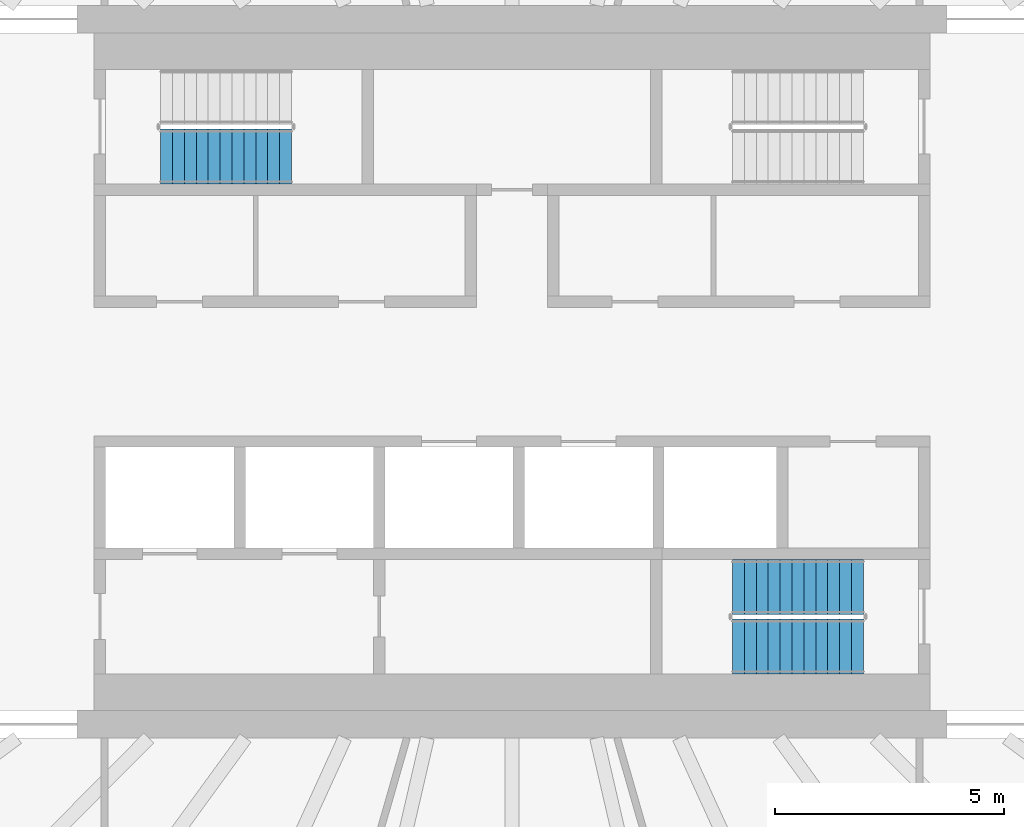
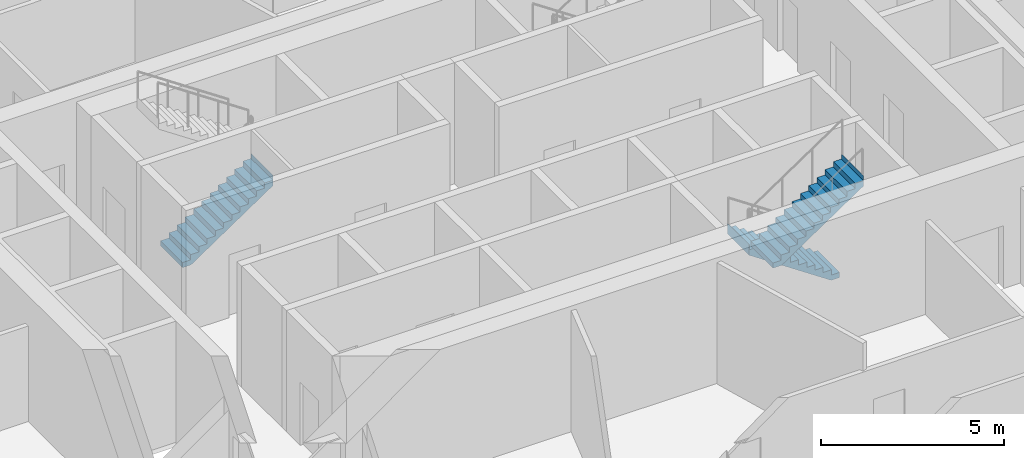
# One storey, part 18 of 25: 3 stair flights, 2 elements without a shape of their own.
"""IFC4 building model written with IfcOpenShell, lengths in metres."""

from ifc_helpers import new_model, si_unit, direction, frame, origin, place, context, subcontext, project, spatial, triangles, material, type_object, element, aggregate, save


model = new_model("IFC4")

# Units and contexts
model_context = context("Model", 3, precision=1e-05, world=origin(), true_north=direction((0.0, 1.0)))
body_context = subcontext(model_context, "Body", "Model", "MODEL_VIEW")
ifc_project = project(units=[si_unit("LENGTHUNIT", "METRE"), si_unit("AREAUNIT", "SQUARE_METRE"), si_unit("VOLUMEUNIT", "CUBIC_METRE"), si_unit("PLANEANGLEUNIT", "RADIAN"), si_unit("MASSUNIT", "GRAM", prefix="KILO")], contexts=[model_context])

# Site, building, storey
site_placement = place(None, origin())
site = spatial("IfcSite", under=ifc_project, at=site_placement, CompositionType="ELEMENT")
building_placement = place(site_placement, origin())
building = spatial("IfcBuilding", under=site, at=building_placement, Name="Sahrelin Media Tower", CompositionType="ELEMENT")
storey_placement = place(building_placement, frame((0.0, 0.0, 79.800048828125)))
storey = spatial("IfcBuildingStorey", under=building, at=storey_placement, Name="L14", CompositionType="ELEMENT", Elevation=79.800048828125)

# Stair, stair flight
ifc_material = material(Name="Concrete C40/50", Category="concrete")
stair_type = type_object("IfcStairType", Name="Exit stair 1200", PredefinedType="HALF_TURN_STAIR", material=ifc_material)
placement = place(storey_placement, origin())
stair_1 = element("IfcStair", 1, at=placement, inside=storey, type_object=stair_type, Name="L14 Exit stair ST1", PredefinedType="HALF_TURN_STAIR")
stair_flight_type = type_object("IfcStairFlightType", Name="Stair flight 1200", PredefinedType="STRAIGHT", material=ifc_material)
stair_flight_1_placement = place(storey_placement, frame((-7.675048828125, 4.699951171875, 0.0), z_axis=(0.0, 0.0, 1.0), x_axis=(1.0, 0.0, 0.0)))
stair_flight_1 = element("IfcStairFlight", 2, at=stair_flight_1_placement, type_object=stair_flight_type, Name="ST1 flight 1", NumberOfRisers=12, NumberOfTreads=11, PredefinedType="STRAIGHT", RiserHeight=0.175, TreadLength=0.26, context=body_context, shape_type="Tessellation", body=[
    triangles([(0.2685546875, 0.60009765625, 0.0), (0.2685546875, 0.300048828125, 0.0), (0.2685546875, 0.0, 0.0), (0.2685546875, -0.300048828125, 0.0), (0.2685546875, -0.60009765625, 0.0), (2.860107421875, 0.60009765625, 1.744384765625), (2.860107421875, 0.300048828125, 1.744384765625), (2.860107421875, 0.0, 1.744384765625), (2.860107421875, -0.300048828125, 1.744384765625), (2.860107421875, -0.60009765625, 1.744384765625), (2.860107421875, 0.60009765625, 2.10009765625), (2.860107421875, 0.300048828125, 2.10009765625), (2.860107421875, 0.0, 2.10009765625), (2.860107421875, -0.300048828125, 2.10009765625), (2.860107421875, -0.60009765625, 2.10009765625), (2.85791015625, 0.60009765625, 2.10009765625), (2.85791015625, 0.300048828125, 2.10009765625), (2.85791015625, 0.0, 2.10009765625), (2.85791015625, -0.300048828125, 2.10009765625), (2.85791015625, -0.60009765625, 2.10009765625), (2.85791015625, 0.60009765625, 1.925048828125), (2.85791015625, 0.300048828125, 1.925048828125), (2.85791015625, 0.0, 1.925048828125), (2.85791015625, -0.300048828125, 1.925048828125), (2.85791015625, -0.60009765625, 1.925048828125), (2.60009765625, 0.60009765625, 1.925048828125), (2.60009765625, 0.300048828125, 1.925048828125), (2.60009765625, 0.0, 1.925048828125), (2.60009765625, -0.300048828125, 1.925048828125), (2.60009765625, -0.60009765625, 1.925048828125), (2.60009765625, 0.60009765625, 1.75), (2.60009765625, 0.300048828125, 1.75), (2.60009765625, 0.0, 1.75), (2.60009765625, -0.300048828125, 1.75), (2.60009765625, -0.60009765625, 1.75), (2.340087890625, 0.60009765625, 1.75), (2.340087890625, 0.300048828125, 1.75), (2.340087890625, 0.0, 1.75), (2.340087890625, -0.300048828125, 1.75), (2.340087890625, -0.60009765625, 1.75), (2.340087890625, 0.60009765625, 1.574951171875), (2.340087890625, 0.300048828125, 1.574951171875), (2.340087890625, 0.0, 1.574951171875), (2.340087890625, -0.300048828125, 1.574951171875), (2.340087890625, -0.60009765625, 1.574951171875), (2.080078125, 0.60009765625, 1.574951171875), (2.080078125, 0.300048828125, 1.574951171875), (2.080078125, 0.0, 1.574951171875), (2.080078125, -0.300048828125, 1.574951171875), (2.080078125, -0.60009765625, 1.574951171875), (2.080078125, 0.60009765625, 1.39990234375), (2.080078125, 0.300048828125, 1.39990234375), (2.080078125, 0.0, 1.39990234375), (2.080078125, -0.300048828125, 1.39990234375), (2.080078125, -0.60009765625, 1.39990234375), (1.820068359375, 0.60009765625, 1.39990234375), (1.820068359375, 0.300048828125, 1.39990234375), (1.820068359375, 0.0, 1.39990234375), (1.820068359375, -0.300048828125, 1.39990234375), (1.820068359375, -0.60009765625, 1.39990234375), (1.820068359375, 0.60009765625, 1.22509765625), (1.820068359375, 0.300048828125, 1.22509765625), (1.820068359375, 0.0, 1.22509765625), (1.820068359375, -0.300048828125, 1.22509765625), (1.820068359375, -0.60009765625, 1.22509765625), (1.56005859375, 0.60009765625, 1.22509765625), (1.56005859375, 0.300048828125, 1.22509765625), (1.56005859375, 0.0, 1.22509765625), (1.56005859375, -0.300048828125, 1.22509765625), (1.56005859375, -0.60009765625, 1.22509765625), (1.56005859375, 0.60009765625, 1.050048828125), (1.56005859375, 0.300048828125, 1.050048828125), (1.56005859375, 0.0, 1.050048828125), (1.56005859375, -0.300048828125, 1.050048828125), (1.56005859375, -0.60009765625, 1.050048828125), (1.300048828125, 0.60009765625, 1.050048828125), (1.300048828125, 0.300048828125, 1.050048828125), (1.300048828125, 0.0, 1.050048828125), (1.300048828125, -0.300048828125, 1.050048828125), (1.300048828125, -0.60009765625, 1.050048828125), (1.300048828125, 0.60009765625, 0.875), (1.300048828125, 0.300048828125, 0.875), (1.300048828125, 0.0, 0.875), (1.300048828125, -0.300048828125, 0.875), (1.300048828125, -0.60009765625, 0.875), (1.0400390625, 0.60009765625, 0.875), (1.0400390625, 0.300048828125, 0.875), (1.0400390625, 0.0, 0.875), (1.0400390625, -0.300048828125, 0.875), (1.0400390625, -0.60009765625, 0.875), (1.0400390625, 0.60009765625, 0.699951171875), (1.0400390625, 0.300048828125, 0.699951171875), (1.0400390625, 0.0, 0.699951171875), (1.0400390625, -0.300048828125, 0.699951171875), (1.0400390625, -0.60009765625, 0.699951171875), (0.780029296875, 0.60009765625, 0.699951171875), (0.780029296875, 0.300048828125, 0.699951171875), (0.780029296875, 0.0, 0.699951171875), (0.780029296875, -0.300048828125, 0.699951171875), (0.780029296875, -0.60009765625, 0.699951171875), (0.780029296875, 0.60009765625, 0.52490234375), (0.780029296875, 0.300048828125, 0.52490234375), (0.780029296875, 0.0, 0.52490234375), (0.780029296875, -0.300048828125, 0.52490234375), (0.780029296875, -0.60009765625, 0.52490234375), (0.52001953125, 0.60009765625, 0.52490234375), (0.52001953125, 0.300048828125, 0.52490234375), (0.52001953125, 0.0, 0.52490234375), (0.52001953125, -0.300048828125, 0.52490234375), (0.52001953125, -0.60009765625, 0.52490234375), (0.52001953125, 0.60009765625, 0.35009765625), (0.52001953125, 0.300048828125, 0.35009765625), (0.52001953125, 0.0, 0.35009765625), (0.52001953125, -0.300048828125, 0.35009765625), (0.52001953125, -0.60009765625, 0.35009765625), (0.260009765625, 0.60009765625, 0.35009765625), (0.260009765625, 0.300048828125, 0.35009765625), (0.260009765625, 0.0, 0.35009765625), (0.260009765625, -0.300048828125, 0.35009765625), (0.260009765625, -0.60009765625, 0.35009765625), (0.260009765625, 0.60009765625, 0.175048828125), (0.260009765625, 0.300048828125, 0.175048828125), (0.260009765625, 0.0, 0.175048828125), (0.260009765625, -0.300048828125, 0.175048828125), (0.260009765625, -0.60009765625, 0.175048828125), (0.0, 0.60009765625, 0.175048828125), (0.0, 0.300048828125, 0.175048828125), (0.0, 0.0, 0.175048828125), (0.0, -0.300048828125, 0.175048828125), (0.0, -0.60009765625, 0.175048828125), (0.0, 0.60009765625, 0.0), (0.0, 0.300048828125, 0.0), (0.0, 0.0, 0.0), (0.0, -0.300048828125, 0.0), (0.0, -0.60009765625, 0.0)], [[1, 6, 7], [1, 7, 2], [2, 7, 8], [2, 8, 3], [3, 8, 9], [3, 9, 4], [4, 9, 10], [4, 10, 5], [6, 11, 12], [6, 12, 7], [7, 12, 13], [7, 13, 8], [8, 13, 14], [8, 14, 9], [9, 14, 15], [9, 15, 10], [11, 16, 17], [11, 17, 12], [12, 17, 18], [12, 18, 13], [13, 18, 19], [13, 19, 14], [14, 19, 20], [14, 20, 15], [16, 21, 22], [16, 22, 17], [17, 22, 23], [17, 23, 18], [18, 23, 24], [18, 24, 19], [19, 24, 25], [19, 25, 20], [21, 26, 27], [21, 27, 22], [22, 27, 28], [22, 28, 23], [23, 28, 29], [23, 29, 24], [24, 29, 30], [24, 30, 25], [26, 31, 32], [26, 32, 27], [27, 32, 33], [27, 33, 28], [28, 33, 34], [28, 34, 29], [29, 34, 35], [29, 35, 30], [31, 36, 37], [31, 37, 32], [32, 37, 38], [32, 38, 33], [33, 38, 39], [33, 39, 34], [34, 39, 40], [34, 40, 35], [36, 41, 42], [36, 42, 37], [37, 42, 43], [37, 43, 38], [38, 43, 44], [38, 44, 39], [39, 44, 45], [39, 45, 40], [41, 46, 47], [41, 47, 42], [42, 47, 48], [42, 48, 43], [43, 48, 49], [43, 49, 44], [44, 49, 50], [44, 50, 45], [46, 51, 52], [46, 52, 47], [47, 52, 53], [47, 53, 48], [48, 53, 54], [48, 54, 49], [49, 54, 55], [49, 55, 50], [51, 56, 57], [51, 57, 52], [52, 57, 58], [52, 58, 53], [53, 58, 59], [53, 59, 54], [54, 59, 60], [54, 60, 55], [56, 61, 62], [56, 62, 57], [57, 62, 63], [57, 63, 58], [58, 63, 64], [58, 64, 59], [59, 64, 65], [59, 65, 60], [61, 66, 67], [61, 67, 62], [62, 67, 68], [62, 68, 63], [63, 68, 69], [63, 69, 64], [64, 69, 70], [64, 70, 65], [66, 71, 72], [66, 72, 67], [67, 72, 73], [67, 73, 68], [68, 73, 74], [68, 74, 69], [69, 74, 75], [69, 75, 70], [71, 76, 77], [71, 77, 72], [72, 77, 78], [72, 78, 73], [73, 78, 79], [73, 79, 74], [74, 79, 80], [74, 80, 75], [76, 81, 82], [76, 82, 77], [77, 82, 83], [77, 83, 78], [78, 83, 84], [78, 84, 79], [79, 84, 85], [79, 85, 80], [81, 86, 87], [81, 87, 82], [82, 87, 88], [82, 88, 83], [83, 88, 89], [83, 89, 84], [84, 89, 90], [84, 90, 85], [86, 91, 92], [86, 92, 87], [87, 92, 93], [87, 93, 88], [88, 93, 94], [88, 94, 89], [89, 94, 95], [89, 95, 90], [91, 96, 97], [91, 97, 92], [92, 97, 98], [92, 98, 93], [93, 98, 99], [93, 99, 94], [94, 99, 100], [94, 100, 95], [96, 101, 102], [96, 102, 97], [97, 102, 103], [97, 103, 98], [98, 103, 104], [98, 104, 99], [99, 104, 105], [99, 105, 100], [101, 106, 107], [101, 107, 102], [102, 107, 108], [102, 108, 103], [103, 108, 109], [103, 109, 104], [104, 109, 110], [104, 110, 105], [106, 111, 112], [106, 112, 107], [107, 112, 113], [107, 113, 108], [108, 113, 114], [108, 114, 109], [109, 114, 115], [109, 115, 110], [111, 116, 117], [111, 117, 112], [112, 117, 118], [112, 118, 113], [113, 118, 119], [113, 119, 114], [114, 119, 120], [114, 120, 115], [116, 121, 122], [116, 122, 117], [117, 122, 123], [117, 123, 118], [118, 123, 124], [118, 124, 119], [119, 124, 125], [119, 125, 120], [121, 126, 127], [121, 127, 122], [122, 127, 128], [122, 128, 123], [123, 128, 129], [123, 129, 124], [124, 129, 130], [124, 130, 125], [126, 131, 132], [126, 132, 127], [127, 132, 133], [127, 133, 128], [128, 133, 134], [128, 134, 129], [129, 134, 135], [129, 135, 130], [131, 1, 2], [131, 2, 132], [132, 2, 3], [132, 3, 133], [133, 3, 4], [133, 4, 134], [134, 4, 5], [134, 5, 135], [125, 130, 135], [121, 131, 126], [125, 115, 120], [121, 116, 111], [115, 105, 110], [111, 106, 101], [105, 95, 100], [101, 96, 91], [95, 85, 90], [91, 86, 81], [85, 75, 80], [81, 76, 71], [75, 65, 70], [71, 66, 61], [65, 55, 60], [61, 56, 51], [55, 45, 50], [51, 46, 41], [45, 35, 40], [41, 36, 31], [35, 25, 30], [31, 26, 21], [25, 15, 20], [21, 16, 11], [135, 5, 125], [131, 121, 1], [95, 105, 5], [91, 1, 101], [5, 10, 75], [1, 71, 6], [10, 35, 45], [6, 41, 31], [25, 10, 15], [21, 11, 6], [115, 125, 5], [111, 1, 121], [75, 85, 5], [71, 1, 81], [35, 10, 25], [31, 21, 6], [105, 115, 5], [101, 1, 111], [45, 55, 10], [41, 6, 51], [85, 95, 5], [81, 1, 91], [65, 10, 55], [61, 51, 6], [10, 65, 75], [6, 71, 61]], closed=True),
])
aggregate(stair_1, [stair_flight_1])

# Stair, stair flights
stair_2 = element("IfcStair", 3, at=placement, inside=storey, type_object=stair_type, Name="L14 Exit stair ST2", PredefinedType="HALF_TURN_STAIR")
stair_flight_2_placement = place(storey_placement, frame((7.675048828125, -4.699951171875, 0.0), z_axis=(0.0, 0.0, 1.0), x_axis=(-1.0, 0.0, 0.0)))
stair_flight_2 = element("IfcStairFlight", 4, at=stair_flight_2_placement, type_object=stair_flight_type, Name="ST2 flight 1", NumberOfRisers=12, NumberOfTreads=11, PredefinedType="STRAIGHT", RiserHeight=0.175, TreadLength=0.26, context=body_context, shape_type="Tessellation", body=[
    triangles([(0.2685546875, 0.60009765625, 0.0), (0.2685546875, 0.300048828125, 0.0), (0.2685546875, 0.0, 0.0), (0.2685546875, -0.300048828125, 0.0), (0.2685546875, -0.60009765625, 0.0), (2.860107421875, 0.60009765625, 1.744384765625), (2.860107421875, 0.300048828125, 1.744384765625), (2.860107421875, 0.0, 1.744384765625), (2.860107421875, -0.300048828125, 1.744384765625), (2.860107421875, -0.60009765625, 1.744384765625), (2.860107421875, 0.60009765625, 2.10009765625), (2.860107421875, 0.300048828125, 2.10009765625), (2.860107421875, 0.0, 2.10009765625), (2.860107421875, -0.300048828125, 2.10009765625), (2.860107421875, -0.60009765625, 2.10009765625), (2.85791015625, 0.60009765625, 2.10009765625), (2.85791015625, 0.300048828125, 2.10009765625), (2.85791015625, 0.0, 2.10009765625), (2.85791015625, -0.300048828125, 2.10009765625), (2.85791015625, -0.60009765625, 2.10009765625), (2.85791015625, 0.60009765625, 1.925048828125), (2.85791015625, 0.300048828125, 1.925048828125), (2.85791015625, 0.0, 1.925048828125), (2.85791015625, -0.300048828125, 1.925048828125), (2.85791015625, -0.60009765625, 1.925048828125), (2.60009765625, 0.60009765625, 1.925048828125), (2.60009765625, 0.300048828125, 1.925048828125), (2.60009765625, 0.0, 1.925048828125), (2.60009765625, -0.300048828125, 1.925048828125), (2.60009765625, -0.60009765625, 1.925048828125), (2.60009765625, 0.60009765625, 1.75), (2.60009765625, 0.300048828125, 1.75), (2.60009765625, 0.0, 1.75), (2.60009765625, -0.300048828125, 1.75), (2.60009765625, -0.60009765625, 1.75), (2.340087890625, 0.60009765625, 1.75), (2.340087890625, 0.300048828125, 1.75), (2.340087890625, 0.0, 1.75), (2.340087890625, -0.300048828125, 1.75), (2.340087890625, -0.60009765625, 1.75), (2.340087890625, 0.60009765625, 1.574951171875), (2.340087890625, 0.300048828125, 1.574951171875), (2.340087890625, 0.0, 1.574951171875), (2.340087890625, -0.300048828125, 1.574951171875), (2.340087890625, -0.60009765625, 1.574951171875), (2.080078125, 0.60009765625, 1.574951171875), (2.080078125, 0.300048828125, 1.574951171875), (2.080078125, 0.0, 1.574951171875), (2.080078125, -0.300048828125, 1.574951171875), (2.080078125, -0.60009765625, 1.574951171875), (2.080078125, 0.60009765625, 1.39990234375), (2.080078125, 0.300048828125, 1.39990234375), (2.080078125, 0.0, 1.39990234375), (2.080078125, -0.300048828125, 1.39990234375), (2.080078125, -0.60009765625, 1.39990234375), (1.820068359375, 0.60009765625, 1.39990234375), (1.820068359375, 0.300048828125, 1.39990234375), (1.820068359375, 0.0, 1.39990234375), (1.820068359375, -0.300048828125, 1.39990234375), (1.820068359375, -0.60009765625, 1.39990234375), (1.820068359375, 0.60009765625, 1.22509765625), (1.820068359375, 0.300048828125, 1.22509765625), (1.820068359375, 0.0, 1.22509765625), (1.820068359375, -0.300048828125, 1.22509765625), (1.820068359375, -0.60009765625, 1.22509765625), (1.56005859375, 0.60009765625, 1.22509765625), (1.56005859375, 0.300048828125, 1.22509765625), (1.56005859375, 0.0, 1.22509765625), (1.56005859375, -0.300048828125, 1.22509765625), (1.56005859375, -0.60009765625, 1.22509765625), (1.56005859375, 0.60009765625, 1.050048828125), (1.56005859375, 0.300048828125, 1.050048828125), (1.56005859375, 0.0, 1.050048828125), (1.56005859375, -0.300048828125, 1.050048828125), (1.56005859375, -0.60009765625, 1.050048828125), (1.300048828125, 0.60009765625, 1.050048828125), (1.300048828125, 0.300048828125, 1.050048828125), (1.300048828125, 0.0, 1.050048828125), (1.300048828125, -0.300048828125, 1.050048828125), (1.300048828125, -0.60009765625, 1.050048828125), (1.300048828125, 0.60009765625, 0.875), (1.300048828125, 0.300048828125, 0.875), (1.300048828125, 0.0, 0.875), (1.300048828125, -0.300048828125, 0.875), (1.300048828125, -0.60009765625, 0.875), (1.0400390625, 0.60009765625, 0.875), (1.0400390625, 0.300048828125, 0.875), (1.0400390625, 0.0, 0.875), (1.0400390625, -0.300048828125, 0.875), (1.0400390625, -0.60009765625, 0.875), (1.0400390625, 0.60009765625, 0.699951171875), (1.0400390625, 0.300048828125, 0.699951171875), (1.0400390625, 0.0, 0.699951171875), (1.0400390625, -0.300048828125, 0.699951171875), (1.0400390625, -0.60009765625, 0.699951171875), (0.780029296875, 0.60009765625, 0.699951171875), (0.780029296875, 0.300048828125, 0.699951171875), (0.780029296875, 0.0, 0.699951171875), (0.780029296875, -0.300048828125, 0.699951171875), (0.780029296875, -0.60009765625, 0.699951171875), (0.780029296875, 0.60009765625, 0.52490234375), (0.780029296875, 0.300048828125, 0.52490234375), (0.780029296875, 0.0, 0.52490234375), (0.780029296875, -0.300048828125, 0.52490234375), (0.780029296875, -0.60009765625, 0.52490234375), (0.52001953125, 0.60009765625, 0.52490234375), (0.52001953125, 0.300048828125, 0.52490234375), (0.52001953125, 0.0, 0.52490234375), (0.52001953125, -0.300048828125, 0.52490234375), (0.52001953125, -0.60009765625, 0.52490234375), (0.52001953125, 0.60009765625, 0.35009765625), (0.52001953125, 0.300048828125, 0.35009765625), (0.52001953125, 0.0, 0.35009765625), (0.52001953125, -0.300048828125, 0.35009765625), (0.52001953125, -0.60009765625, 0.35009765625), (0.260009765625, 0.60009765625, 0.35009765625), (0.260009765625, 0.300048828125, 0.35009765625), (0.260009765625, 0.0, 0.35009765625), (0.260009765625, -0.300048828125, 0.35009765625), (0.260009765625, -0.60009765625, 0.35009765625), (0.260009765625, 0.60009765625, 0.175048828125), (0.260009765625, 0.300048828125, 0.175048828125), (0.260009765625, 0.0, 0.175048828125), (0.260009765625, -0.300048828125, 0.175048828125), (0.260009765625, -0.60009765625, 0.175048828125), (0.0, 0.60009765625, 0.175048828125), (0.0, 0.300048828125, 0.175048828125), (0.0, 0.0, 0.175048828125), (0.0, -0.300048828125, 0.175048828125), (0.0, -0.60009765625, 0.175048828125), (0.0, 0.60009765625, 0.0), (0.0, 0.300048828125, 0.0), (0.0, 0.0, 0.0), (0.0, -0.300048828125, 0.0), (0.0, -0.60009765625, 0.0)], [[1, 6, 7], [1, 7, 2], [2, 7, 8], [2, 8, 3], [3, 8, 9], [3, 9, 4], [4, 9, 10], [4, 10, 5], [6, 11, 12], [6, 12, 7], [7, 12, 13], [7, 13, 8], [8, 13, 14], [8, 14, 9], [9, 14, 15], [9, 15, 10], [11, 16, 17], [11, 17, 12], [12, 17, 18], [12, 18, 13], [13, 18, 19], [13, 19, 14], [14, 19, 20], [14, 20, 15], [16, 21, 22], [16, 22, 17], [17, 22, 23], [17, 23, 18], [18, 23, 24], [18, 24, 19], [19, 24, 25], [19, 25, 20], [21, 26, 27], [21, 27, 22], [22, 27, 28], [22, 28, 23], [23, 28, 29], [23, 29, 24], [24, 29, 30], [24, 30, 25], [26, 31, 32], [26, 32, 27], [27, 32, 33], [27, 33, 28], [28, 33, 34], [28, 34, 29], [29, 34, 35], [29, 35, 30], [31, 36, 37], [31, 37, 32], [32, 37, 38], [32, 38, 33], [33, 38, 39], [33, 39, 34], [34, 39, 40], [34, 40, 35], [36, 41, 42], [36, 42, 37], [37, 42, 43], [37, 43, 38], [38, 43, 44], [38, 44, 39], [39, 44, 45], [39, 45, 40], [41, 46, 47], [41, 47, 42], [42, 47, 48], [42, 48, 43], [43, 48, 49], [43, 49, 44], [44, 49, 50], [44, 50, 45], [46, 51, 52], [46, 52, 47], [47, 52, 53], [47, 53, 48], [48, 53, 54], [48, 54, 49], [49, 54, 55], [49, 55, 50], [51, 56, 57], [51, 57, 52], [52, 57, 58], [52, 58, 53], [53, 58, 59], [53, 59, 54], [54, 59, 60], [54, 60, 55], [56, 61, 62], [56, 62, 57], [57, 62, 63], [57, 63, 58], [58, 63, 64], [58, 64, 59], [59, 64, 65], [59, 65, 60], [61, 66, 67], [61, 67, 62], [62, 67, 68], [62, 68, 63], [63, 68, 69], [63, 69, 64], [64, 69, 70], [64, 70, 65], [66, 71, 72], [66, 72, 67], [67, 72, 73], [67, 73, 68], [68, 73, 74], [68, 74, 69], [69, 74, 75], [69, 75, 70], [71, 76, 77], [71, 77, 72], [72, 77, 78], [72, 78, 73], [73, 78, 79], [73, 79, 74], [74, 79, 80], [74, 80, 75], [76, 81, 82], [76, 82, 77], [77, 82, 83], [77, 83, 78], [78, 83, 84], [78, 84, 79], [79, 84, 85], [79, 85, 80], [81, 86, 87], [81, 87, 82], [82, 87, 88], [82, 88, 83], [83, 88, 89], [83, 89, 84], [84, 89, 90], [84, 90, 85], [86, 91, 92], [86, 92, 87], [87, 92, 93], [87, 93, 88], [88, 93, 94], [88, 94, 89], [89, 94, 95], [89, 95, 90], [91, 96, 97], [91, 97, 92], [92, 97, 98], [92, 98, 93], [93, 98, 99], [93, 99, 94], [94, 99, 100], [94, 100, 95], [96, 101, 102], [96, 102, 97], [97, 102, 103], [97, 103, 98], [98, 103, 104], [98, 104, 99], [99, 104, 105], [99, 105, 100], [101, 106, 107], [101, 107, 102], [102, 107, 108], [102, 108, 103], [103, 108, 109], [103, 109, 104], [104, 109, 110], [104, 110, 105], [106, 111, 112], [106, 112, 107], [107, 112, 113], [107, 113, 108], [108, 113, 114], [108, 114, 109], [109, 114, 115], [109, 115, 110], [111, 116, 117], [111, 117, 112], [112, 117, 118], [112, 118, 113], [113, 118, 119], [113, 119, 114], [114, 119, 120], [114, 120, 115], [116, 121, 122], [116, 122, 117], [117, 122, 123], [117, 123, 118], [118, 123, 124], [118, 124, 119], [119, 124, 125], [119, 125, 120], [121, 126, 127], [121, 127, 122], [122, 127, 128], [122, 128, 123], [123, 128, 129], [123, 129, 124], [124, 129, 130], [124, 130, 125], [126, 131, 132], [126, 132, 127], [127, 132, 133], [127, 133, 128], [128, 133, 134], [128, 134, 129], [129, 134, 135], [129, 135, 130], [131, 1, 2], [131, 2, 132], [132, 2, 3], [132, 3, 133], [133, 3, 4], [133, 4, 134], [134, 4, 5], [134, 5, 135], [125, 130, 135], [121, 131, 126], [125, 115, 120], [121, 116, 111], [115, 105, 110], [111, 106, 101], [105, 95, 100], [101, 96, 91], [95, 85, 90], [91, 86, 81], [85, 75, 80], [81, 76, 71], [75, 65, 70], [71, 66, 61], [65, 55, 60], [61, 56, 51], [55, 45, 50], [51, 46, 41], [45, 35, 40], [41, 36, 31], [35, 25, 30], [31, 26, 21], [25, 15, 20], [21, 16, 11], [135, 5, 125], [131, 121, 1], [95, 105, 5], [91, 1, 101], [5, 10, 75], [1, 71, 6], [10, 35, 45], [6, 41, 31], [25, 10, 15], [21, 11, 6], [115, 125, 5], [111, 1, 121], [75, 85, 5], [71, 1, 81], [35, 10, 25], [31, 21, 6], [105, 115, 5], [101, 1, 111], [45, 55, 10], [41, 6, 51], [85, 95, 5], [81, 1, 91], [65, 10, 55], [61, 51, 6], [10, 65, 75], [6, 71, 61]], closed=True),
])
stair_flight_3_placement = place(storey_placement, frame((4.81494140625, -6.0, 2.099853515625), z_axis=(0.0, 0.0, 1.0), x_axis=(1.0, 0.0, 0.0)))
stair_flight_3 = element("IfcStairFlight", 5, at=stair_flight_3_placement, type_object=stair_flight_type, Name="ST2 flight 2", NumberOfRisers=12, NumberOfTreads=11, PredefinedType="STRAIGHT", RiserHeight=0.175, TreadLength=0.26, context=body_context, shape_type="Tessellation", body=[
    triangles([(0.2685546875, 0.60009765625, 0.0), (0.2685546875, 0.300048828125, 0.0), (0.2685546875, 0.0, 0.0), (0.2685546875, -0.300048828125, 0.0), (0.2685546875, -0.60009765625, 0.0), (2.860107421875, 0.60009765625, 1.744384765625), (2.860107421875, 0.300048828125, 1.744384765625), (2.860107421875, 0.0, 1.744384765625), (2.860107421875, -0.300048828125, 1.744384765625), (2.860107421875, -0.60009765625, 1.744384765625), (2.860107421875, 0.60009765625, 2.10009765625), (2.860107421875, 0.300048828125, 2.10009765625), (2.860107421875, 0.0, 2.10009765625), (2.860107421875, -0.300048828125, 2.10009765625), (2.860107421875, -0.60009765625, 2.10009765625), (2.85791015625, 0.60009765625, 2.10009765625), (2.85791015625, 0.300048828125, 2.10009765625), (2.85791015625, 0.0, 2.10009765625), (2.85791015625, -0.300048828125, 2.10009765625), (2.85791015625, -0.60009765625, 2.10009765625), (2.85791015625, 0.60009765625, 1.925048828125), (2.85791015625, 0.300048828125, 1.925048828125), (2.85791015625, 0.0, 1.925048828125), (2.85791015625, -0.300048828125, 1.925048828125), (2.85791015625, -0.60009765625, 1.925048828125), (2.60009765625, 0.60009765625, 1.925048828125), (2.60009765625, 0.300048828125, 1.925048828125), (2.60009765625, 0.0, 1.925048828125), (2.60009765625, -0.300048828125, 1.925048828125), (2.60009765625, -0.60009765625, 1.925048828125), (2.60009765625, 0.60009765625, 1.75), (2.60009765625, 0.300048828125, 1.75), (2.60009765625, 0.0, 1.75), (2.60009765625, -0.300048828125, 1.75), (2.60009765625, -0.60009765625, 1.75), (2.340087890625, 0.60009765625, 1.75), (2.340087890625, 0.300048828125, 1.75), (2.340087890625, 0.0, 1.75), (2.340087890625, -0.300048828125, 1.75), (2.340087890625, -0.60009765625, 1.75), (2.340087890625, 0.60009765625, 1.574951171875), (2.340087890625, 0.300048828125, 1.574951171875), (2.340087890625, 0.0, 1.574951171875), (2.340087890625, -0.300048828125, 1.574951171875), (2.340087890625, -0.60009765625, 1.574951171875), (2.080078125, 0.60009765625, 1.574951171875), (2.080078125, 0.300048828125, 1.574951171875), (2.080078125, 0.0, 1.574951171875), (2.080078125, -0.300048828125, 1.574951171875), (2.080078125, -0.60009765625, 1.574951171875), (2.080078125, 0.60009765625, 1.39990234375), (2.080078125, 0.300048828125, 1.39990234375), (2.080078125, 0.0, 1.39990234375), (2.080078125, -0.300048828125, 1.39990234375), (2.080078125, -0.60009765625, 1.39990234375), (1.820068359375, 0.60009765625, 1.39990234375), (1.820068359375, 0.300048828125, 1.39990234375), (1.820068359375, 0.0, 1.39990234375), (1.820068359375, -0.300048828125, 1.39990234375), (1.820068359375, -0.60009765625, 1.39990234375), (1.820068359375, 0.60009765625, 1.22509765625), (1.820068359375, 0.300048828125, 1.22509765625), (1.820068359375, 0.0, 1.22509765625), (1.820068359375, -0.300048828125, 1.22509765625), (1.820068359375, -0.60009765625, 1.22509765625), (1.56005859375, 0.60009765625, 1.22509765625), (1.56005859375, 0.300048828125, 1.22509765625), (1.56005859375, 0.0, 1.22509765625), (1.56005859375, -0.300048828125, 1.22509765625), (1.56005859375, -0.60009765625, 1.22509765625), (1.56005859375, 0.60009765625, 1.050048828125), (1.56005859375, 0.300048828125, 1.050048828125), (1.56005859375, 0.0, 1.050048828125), (1.56005859375, -0.300048828125, 1.050048828125), (1.56005859375, -0.60009765625, 1.050048828125), (1.300048828125, 0.60009765625, 1.050048828125), (1.300048828125, 0.300048828125, 1.050048828125), (1.300048828125, 0.0, 1.050048828125), (1.300048828125, -0.300048828125, 1.050048828125), (1.300048828125, -0.60009765625, 1.050048828125), (1.300048828125, 0.60009765625, 0.875), (1.300048828125, 0.300048828125, 0.875), (1.300048828125, 0.0, 0.875), (1.300048828125, -0.300048828125, 0.875), (1.300048828125, -0.60009765625, 0.875), (1.0400390625, 0.60009765625, 0.875), (1.0400390625, 0.300048828125, 0.875), (1.0400390625, 0.0, 0.875), (1.0400390625, -0.300048828125, 0.875), (1.0400390625, -0.60009765625, 0.875), (1.0400390625, 0.60009765625, 0.699951171875), (1.0400390625, 0.300048828125, 0.699951171875), (1.0400390625, 0.0, 0.699951171875), (1.0400390625, -0.300048828125, 0.699951171875), (1.0400390625, -0.60009765625, 0.699951171875), (0.780029296875, 0.60009765625, 0.699951171875), (0.780029296875, 0.300048828125, 0.699951171875), (0.780029296875, 0.0, 0.699951171875), (0.780029296875, -0.300048828125, 0.699951171875), (0.780029296875, -0.60009765625, 0.699951171875), (0.780029296875, 0.60009765625, 0.52490234375), (0.780029296875, 0.300048828125, 0.52490234375), (0.780029296875, 0.0, 0.52490234375), (0.780029296875, -0.300048828125, 0.52490234375), (0.780029296875, -0.60009765625, 0.52490234375), (0.52001953125, 0.60009765625, 0.52490234375), (0.52001953125, 0.300048828125, 0.52490234375), (0.52001953125, 0.0, 0.52490234375), (0.52001953125, -0.300048828125, 0.52490234375), (0.52001953125, -0.60009765625, 0.52490234375), (0.52001953125, 0.60009765625, 0.35009765625), (0.52001953125, 0.300048828125, 0.35009765625), (0.52001953125, 0.0, 0.35009765625), (0.52001953125, -0.300048828125, 0.35009765625), (0.52001953125, -0.60009765625, 0.35009765625), (0.260009765625, 0.60009765625, 0.35009765625), (0.260009765625, 0.300048828125, 0.35009765625), (0.260009765625, 0.0, 0.35009765625), (0.260009765625, -0.300048828125, 0.35009765625), (0.260009765625, -0.60009765625, 0.35009765625), (0.260009765625, 0.60009765625, 0.175048828125), (0.260009765625, 0.300048828125, 0.175048828125), (0.260009765625, 0.0, 0.175048828125), (0.260009765625, -0.300048828125, 0.175048828125), (0.260009765625, -0.60009765625, 0.175048828125), (0.0, 0.60009765625, 0.175048828125), (0.0, 0.300048828125, 0.175048828125), (0.0, 0.0, 0.175048828125), (0.0, -0.300048828125, 0.175048828125), (0.0, -0.60009765625, 0.175048828125), (0.0, 0.60009765625, 0.0), (0.0, 0.300048828125, 0.0), (0.0, 0.0, 0.0), (0.0, -0.300048828125, 0.0), (0.0, -0.60009765625, 0.0)], [[1, 6, 7], [1, 7, 2], [2, 7, 8], [2, 8, 3], [3, 8, 9], [3, 9, 4], [4, 9, 10], [4, 10, 5], [6, 11, 12], [6, 12, 7], [7, 12, 13], [7, 13, 8], [8, 13, 14], [8, 14, 9], [9, 14, 15], [9, 15, 10], [11, 16, 17], [11, 17, 12], [12, 17, 18], [12, 18, 13], [13, 18, 19], [13, 19, 14], [14, 19, 20], [14, 20, 15], [16, 21, 22], [16, 22, 17], [17, 22, 23], [17, 23, 18], [18, 23, 24], [18, 24, 19], [19, 24, 25], [19, 25, 20], [21, 26, 27], [21, 27, 22], [22, 27, 28], [22, 28, 23], [23, 28, 29], [23, 29, 24], [24, 29, 30], [24, 30, 25], [26, 31, 32], [26, 32, 27], [27, 32, 33], [27, 33, 28], [28, 33, 34], [28, 34, 29], [29, 34, 35], [29, 35, 30], [31, 36, 37], [31, 37, 32], [32, 37, 38], [32, 38, 33], [33, 38, 39], [33, 39, 34], [34, 39, 40], [34, 40, 35], [36, 41, 42], [36, 42, 37], [37, 42, 43], [37, 43, 38], [38, 43, 44], [38, 44, 39], [39, 44, 45], [39, 45, 40], [41, 46, 47], [41, 47, 42], [42, 47, 48], [42, 48, 43], [43, 48, 49], [43, 49, 44], [44, 49, 50], [44, 50, 45], [46, 51, 52], [46, 52, 47], [47, 52, 53], [47, 53, 48], [48, 53, 54], [48, 54, 49], [49, 54, 55], [49, 55, 50], [51, 56, 57], [51, 57, 52], [52, 57, 58], [52, 58, 53], [53, 58, 59], [53, 59, 54], [54, 59, 60], [54, 60, 55], [56, 61, 62], [56, 62, 57], [57, 62, 63], [57, 63, 58], [58, 63, 64], [58, 64, 59], [59, 64, 65], [59, 65, 60], [61, 66, 67], [61, 67, 62], [62, 67, 68], [62, 68, 63], [63, 68, 69], [63, 69, 64], [64, 69, 70], [64, 70, 65], [66, 71, 72], [66, 72, 67], [67, 72, 73], [67, 73, 68], [68, 73, 74], [68, 74, 69], [69, 74, 75], [69, 75, 70], [71, 76, 77], [71, 77, 72], [72, 77, 78], [72, 78, 73], [73, 78, 79], [73, 79, 74], [74, 79, 80], [74, 80, 75], [76, 81, 82], [76, 82, 77], [77, 82, 83], [77, 83, 78], [78, 83, 84], [78, 84, 79], [79, 84, 85], [79, 85, 80], [81, 86, 87], [81, 87, 82], [82, 87, 88], [82, 88, 83], [83, 88, 89], [83, 89, 84], [84, 89, 90], [84, 90, 85], [86, 91, 92], [86, 92, 87], [87, 92, 93], [87, 93, 88], [88, 93, 94], [88, 94, 89], [89, 94, 95], [89, 95, 90], [91, 96, 97], [91, 97, 92], [92, 97, 98], [92, 98, 93], [93, 98, 99], [93, 99, 94], [94, 99, 100], [94, 100, 95], [96, 101, 102], [96, 102, 97], [97, 102, 103], [97, 103, 98], [98, 103, 104], [98, 104, 99], [99, 104, 105], [99, 105, 100], [101, 106, 107], [101, 107, 102], [102, 107, 108], [102, 108, 103], [103, 108, 109], [103, 109, 104], [104, 109, 110], [104, 110, 105], [106, 111, 112], [106, 112, 107], [107, 112, 113], [107, 113, 108], [108, 113, 114], [108, 114, 109], [109, 114, 115], [109, 115, 110], [111, 116, 117], [111, 117, 112], [112, 117, 118], [112, 118, 113], [113, 118, 119], [113, 119, 114], [114, 119, 120], [114, 120, 115], [116, 121, 122], [116, 122, 117], [117, 122, 123], [117, 123, 118], [118, 123, 124], [118, 124, 119], [119, 124, 125], [119, 125, 120], [121, 126, 127], [121, 127, 122], [122, 127, 128], [122, 128, 123], [123, 128, 129], [123, 129, 124], [124, 129, 130], [124, 130, 125], [126, 131, 132], [126, 132, 127], [127, 132, 133], [127, 133, 128], [128, 133, 134], [128, 134, 129], [129, 134, 135], [129, 135, 130], [131, 1, 2], [131, 2, 132], [132, 2, 3], [132, 3, 133], [133, 3, 4], [133, 4, 134], [134, 4, 5], [134, 5, 135], [125, 130, 135], [121, 131, 126], [125, 115, 120], [121, 116, 111], [115, 105, 110], [111, 106, 101], [105, 95, 100], [101, 96, 91], [95, 85, 90], [91, 86, 81], [85, 75, 80], [81, 76, 71], [75, 65, 70], [71, 66, 61], [65, 55, 60], [61, 56, 51], [55, 45, 50], [51, 46, 41], [45, 35, 40], [41, 36, 31], [35, 25, 30], [31, 26, 21], [25, 15, 20], [21, 16, 11], [135, 5, 125], [131, 121, 1], [95, 105, 5], [91, 1, 101], [5, 10, 75], [1, 71, 6], [10, 35, 45], [6, 41, 31], [25, 10, 15], [21, 11, 6], [115, 125, 5], [111, 1, 121], [75, 85, 5], [71, 1, 81], [35, 10, 25], [31, 21, 6], [105, 115, 5], [101, 1, 111], [45, 55, 10], [41, 6, 51], [85, 95, 5], [81, 1, 91], [65, 10, 55], [61, 51, 6], [10, 65, 75], [6, 71, 61]], closed=True),
])
aggregate(stair_2, [stair_flight_2, stair_flight_3])

save(model, "model.ifc")
